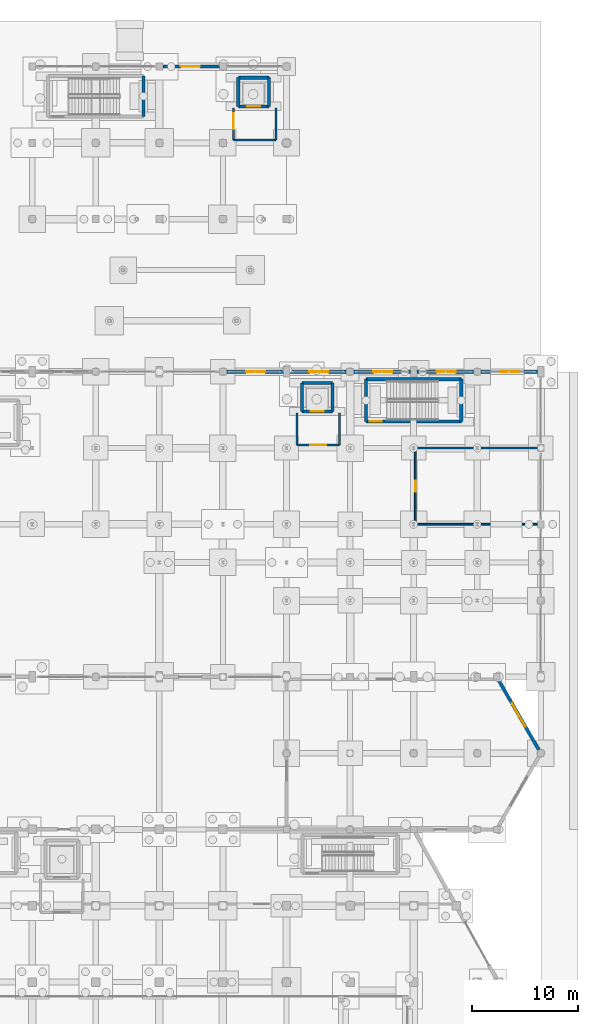
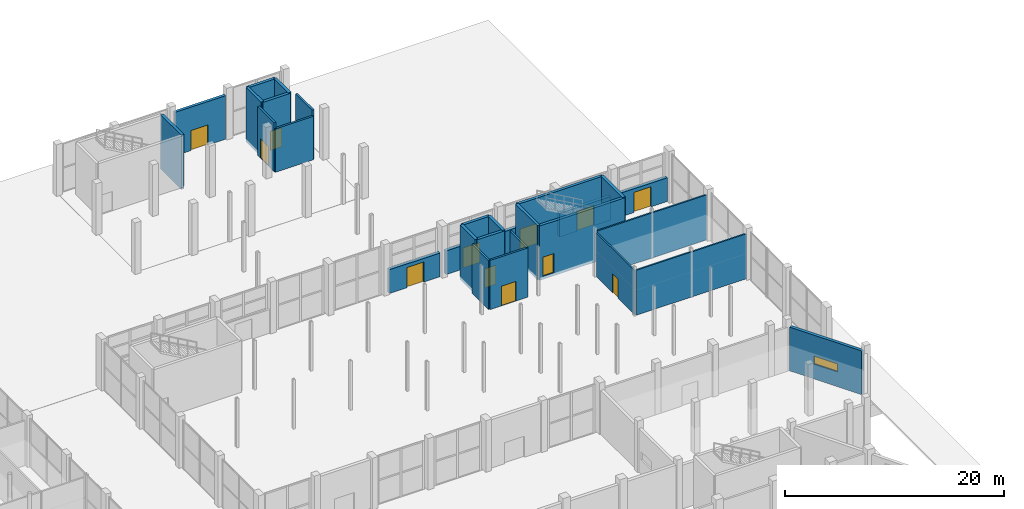
# One storey, part 84 of 103: 29 walls, 12 doors, 1 window, 13 openings.
"""IFC4 building model written with IfcOpenShell, lengths in metres."""

from ifc_helpers import new_model, si_unit, direction, frame, frame_2d, origin, place, context, subcontext, project, spatial, rectangle, extrude, material, layer, layer_set, type_object, element, fill, save


model = new_model("IFC4")

# Units and contexts
model_context = context("Model", 3, precision=1e-05, world=origin(), true_north=direction((0.0, 1.0)))
body_context = subcontext(model_context, "Body", "Model", "MODEL_VIEW")
ifc_project = project(units=[si_unit("LENGTHUNIT", "METRE"), si_unit("AREAUNIT", "SQUARE_METRE"), si_unit("VOLUMEUNIT", "CUBIC_METRE"), si_unit("PLANEANGLEUNIT", "RADIAN"), si_unit("MASSUNIT", "GRAM", prefix="KILO")], contexts=[model_context])

# Site, building, storey
site_placement = place(None, origin())
site = spatial("IfcSite", under=ifc_project, at=site_placement, CompositionType="ELEMENT")
building_placement = place(site_placement, origin())
building = spatial("IfcBuilding", under=site, at=building_placement, Name="Dunvalen Ferry Terminal", CompositionType="ELEMENT")
storey_placement = place(building_placement, origin())
storey = spatial("IfcBuildingStorey", under=building, at=storey_placement, Name="L00", CompositionType="ELEMENT", Elevation=0.0)

# Wall, opening, window
ifc_material_1 = material(Name="Precast concrete C40/50", Category="concrete")
ifc_layer_1 = layer(ifc_material_1, 0.31005859375, Name="Precast concrete C40/50")
ifc_layer_set_1 = layer_set([ifc_layer_1], Name="Precast concrete C40/50")
wall_type_1 = type_object("IfcWallType", Name="ENV-WL-ANX310", PredefinedType="SOLIDWALL", material=ifc_layer_set_1)
wall_1_placement = place(storey_placement, frame((167.824951171875, 50.703125, 0.0), z_axis=(0.0, 0.0, 1.0), x_axis=(-0.499998170572, 0.866026460002, 0.0)))
wall_1 = element("IfcWall", 1, at=wall_1_placement, inside=storey, type_object=wall_type_1, Name="L00 V2ASE Faceted Precast Wall 03", PredefinedType="SOLIDWALL", context=body_context, shape_type="SweptSolid", body=[
    extrude(rectangle(XDim=7.61376953125, YDim=0.31005859375, at=frame_2d((3.806884765625, 0.0))), origin(), (0.0, 0.0, 1.0), 4.889892578125),
])
opening_1_placement = place(wall_1_placement, frame((2.556884765625, 0.0, 1.64990234375)))
opening_1 = element("IfcOpeningElement", 2, at=opening_1_placement, cuts=wall_1, Name="Opening W-15", PredefinedType="OPENING", context=body_context, shape_type="SweptSolid", body=[
    extrude(rectangle(XDim=2.5, YDim=0.89990234375, at=frame_2d((1.25, 0.449951171875))), frame((0.0, 0.1650390625, 0.0), z_axis=(0.0, -1.0, 0.0), x_axis=(1.0, 0.0, 0.0)), (0.0, 0.0, 1.0), 0.330078125),
])
ifc_material_2 = material(Name="Thermally broken aluminium and double glazing", Category="aluminium")
window_type = type_object("IfcWindowType", Name="ENV-WIN-CLR-15", PartitioningType="SINGLE_PANEL", PredefinedType="WINDOW", material=ifc_material_2)
window_placement = place(opening_1_placement, origin())
window = element("IfcWindow", 3, at=window_placement, inside=storey, type_object=window_type, Name="L00 V2ASE Clerestory Window 03", OverallHeight=0.89990234375, OverallWidth=2.5, PartitioningType="SINGLE_PANEL", PredefinedType="WINDOW", context=body_context, shape_type="SweptSolid", body=[
    extrude(rectangle(XDim=2.5, YDim=0.89990234375, at=frame_2d((1.25, 0.449951171875))), frame((0.0, 0.030029296875, 0.0), z_axis=(0.0, -1.0, 0.0), x_axis=(1.0, 0.0, 0.0)), (0.0, 0.0, 1.0), 0.06005859375),
])
fill(opening_1, window)

# Wall, opening, door
ifc_layer_2 = layer(ifc_material_1, 0.2900390625, Name="Precast concrete C40/50")
ifc_layer_set_2 = layer_set([ifc_layer_2], Name="Precast concrete C40/50")
wall_type_2 = type_object("IfcWallType", Name="ENV-WL-BRT290", PredefinedType="SOLIDWALL", material=ifc_layer_set_2)
wall_2_placement = place(storey_placement, frame((132.326904296875, 115.199951171875, 0.0), z_axis=(0.0, 0.0, 1.0), x_axis=(1.0, 0.0, 0.0)))
wall_2 = element("IfcWall", 4, at=wall_2_placement, inside=storey, type_object=wall_type_2, Name="L00 Berth Pavilion 2 Quay Apron Exit Wall", PredefinedType="SOLIDWALL", context=body_context, shape_type="SweptSolid", body=[
    extrude(rectangle(XDim=5.34619140625, YDim=0.2900390625, at=frame_2d((2.673095703125, 0.0))), origin(), (0.0, 0.0, 1.0), 4.860107421875),
])
opening_2_placement = place(wall_2_placement, frame((1.697509765625, 0.0, 0.0)))
opening_2 = element("IfcOpeningElement", 5, at=opening_2_placement, cuts=wall_2, Name="Opening ED-03", PredefinedType="OPENING", context=body_context, shape_type="SweptSolid", body=[
    extrude(rectangle(XDim=1.800048828125, YDim=2.25, at=frame_2d((0.89990234375, 1.125))), frame((0.0, 0.155029296875, 0.0), z_axis=(0.0, -1.0, 0.0), x_axis=(1.0, 0.0, 0.0)), (0.0, 0.0, 1.0), 0.31005859375),
])
ifc_material_3 = material(Name="Marine grade powder-coated aluminium and laminated glass", Category="aluminium")
door_type_1 = type_object("IfcDoorType", Name="ENV-DR-EXT-1800", OperationType="DOUBLE_SWING_LEFT", PredefinedType="DOOR", material=ifc_material_3)
door_1_placement = place(opening_2_placement, origin())
door_1 = element("IfcDoor", 6, at=door_1_placement, inside=storey, type_object=door_type_1, Name="L00 Berth Pavilion 2 Quay Discharge Door", OperationType="DOUBLE_SWING_LEFT", OverallHeight=2.25, OverallWidth=1.800048828125, PredefinedType="DOOR", context=body_context, shape_type="SweptSolid", body=[
    extrude(rectangle(XDim=1.800048828125, YDim=2.25, at=frame_2d((0.89990234375, 1.125))), frame((0.0, 0.02490234375, 0.0), z_axis=(0.0, -1.0, 0.0), x_axis=(1.0, 0.0, 0.0)), (0.0, 0.0, 1.0), 0.050048828125),
])
fill(opening_2, door_1)

ifc_layer_3 = layer(ifc_material_1, 0.340087890625, Name="Precast concrete C40/50")
ifc_layer_set_3 = layer_set([ifc_layer_3], Name="Precast concrete C40/50")
wall_type_3 = type_object("IfcWallType", Name="ENV-WL-SPN340", PredefinedType="SOLIDWALL", material=ifc_layer_set_3)
wall_3_placement = place(storey_placement, frame((138.326904296875, 86.39990234375, 0.0), z_axis=(0.0, 0.0, 1.0), x_axis=(1.0, 0.0, 0.0)))
wall_3 = element("IfcWall", 7, at=wall_3_placement, inside=storey, type_object=wall_type_3, Name="L00 Arrivals Hall Quay Storefront Portal Wall 06", PredefinedType="SOLIDWALL", context=body_context, shape_type="SweptSolid", body=[
    extrude(rectangle(XDim=5.37109375, YDim=0.340087890625, at=frame_2d((2.685546875, 0.0))), origin(), (0.0, 0.0, 1.0), 2.64990234375),
])
opening_3_placement = place(wall_3_placement, frame((1.861572265625, 0.0, 0.0)))
opening_3 = element("IfcOpeningElement", 8, at=opening_3_placement, cuts=wall_3, Name="Opening ED-03", PredefinedType="OPENING", context=body_context, shape_type="SweptSolid", body=[
    extrude(rectangle(XDim=1.800048828125, YDim=2.25, at=frame_2d((0.89990234375, 1.125))), frame((0.0, 0.18017578125, 0.0), z_axis=(0.0, -1.0, 0.0), x_axis=(1.0, 0.0, 0.0)), (0.0, 0.0, 1.0), 0.360107421875),
])
door_2_placement = place(opening_3_placement, origin())
door_2 = element("IfcDoor", 9, at=door_2_placement, inside=storey, type_object=door_type_1, Name="L00 Arrivals Hall Quay Promenade Exit Door 06", OperationType="DOUBLE_SWING_LEFT", OverallHeight=2.25, OverallWidth=1.800048828125, PredefinedType="DOOR", context=body_context, shape_type="SweptSolid", body=[
    extrude(rectangle(XDim=1.800048828125, YDim=2.25, at=frame_2d((0.89990234375, 1.125))), frame((0.0, 0.02490234375, 0.0), z_axis=(0.0, -1.0, 0.0), x_axis=(1.0, 0.0, 0.0)), (0.0, 0.0, 1.0), 0.050048828125),
])
fill(opening_3, door_2)

wall_4_placement = place(storey_placement, frame((144.302001953125, 86.39990234375, 0.0), z_axis=(0.0, 0.0, 1.0), x_axis=(1.0, 0.0, 0.0)))
wall_4 = element("IfcWall", 10, at=wall_4_placement, inside=storey, type_object=wall_type_3, Name="L00 Arrivals Hall Quay Storefront Portal Wall 07", PredefinedType="SOLIDWALL", context=body_context, shape_type="SweptSolid", body=[
    extrude(rectangle(XDim=5.37109375, YDim=0.340087890625, at=frame_2d((2.685546875, 0.0))), origin(), (0.0, 0.0, 1.0), 2.64990234375),
])
opening_4_placement = place(wall_4_placement, frame((1.861572265625, 0.0, 0.0)))
opening_4 = element("IfcOpeningElement", 11, at=opening_4_placement, cuts=wall_4, Name="Opening ED-03", PredefinedType="OPENING", context=body_context, shape_type="SweptSolid", body=[
    extrude(rectangle(XDim=1.800048828125, YDim=2.25, at=frame_2d((0.89990234375, 1.125))), frame((0.0, 0.18017578125, 0.0), z_axis=(0.0, -1.0, 0.0), x_axis=(1.0, 0.0, 0.0)), (0.0, 0.0, 1.0), 0.360107421875),
])
door_3_placement = place(opening_4_placement, origin())
door_3 = element("IfcDoor", 12, at=door_3_placement, inside=storey, type_object=door_type_1, Name="L00 Arrivals Hall Quay Promenade Exit Door 07", OperationType="DOUBLE_SWING_LEFT", OverallHeight=2.25, OverallWidth=1.800048828125, PredefinedType="DOOR", context=body_context, shape_type="SweptSolid", body=[
    extrude(rectangle(XDim=1.800048828125, YDim=2.25, at=frame_2d((0.89990234375, 1.125))), frame((0.0, 0.02490234375, 0.0), z_axis=(0.0, -1.0, 0.0), x_axis=(1.0, 0.0, 0.0)), (0.0, 0.0, 1.0), 0.050048828125),
])
fill(opening_4, door_3)

wall_5_placement = place(storey_placement, frame((150.326904296875, 86.39990234375, 0.0), z_axis=(0.0, 0.0, 1.0), x_axis=(1.0, 0.0, 0.0)))
wall_5 = element("IfcWall", 13, at=wall_5_placement, inside=storey, type_object=wall_type_3, Name="L00 Arrivals Hall Quay Storefront Portal Wall 08", PredefinedType="SOLIDWALL", context=body_context, shape_type="SweptSolid", body=[
    extrude(rectangle(XDim=5.37109375, YDim=0.340087890625, at=frame_2d((2.685546875, 0.0))), origin(), (0.0, 0.0, 1.0), 2.64990234375),
])
opening_5_placement = place(wall_5_placement, frame((1.861572265625, 0.0, 0.0)))
opening_5 = element("IfcOpeningElement", 14, at=opening_5_placement, cuts=wall_5, Name="Opening ED-03", PredefinedType="OPENING", context=body_context, shape_type="SweptSolid", body=[
    extrude(rectangle(XDim=1.800048828125, YDim=2.25, at=frame_2d((0.89990234375, 1.125))), frame((0.0, 0.18017578125, 0.0), z_axis=(0.0, -1.0, 0.0), x_axis=(1.0, 0.0, 0.0)), (0.0, 0.0, 1.0), 0.360107421875),
])
door_4_placement = place(opening_5_placement, origin())
door_4 = element("IfcDoor", 15, at=door_4_placement, inside=storey, type_object=door_type_1, Name="L00 Arrivals Hall Quay Promenade Exit Door 08", OperationType="DOUBLE_SWING_LEFT", OverallHeight=2.25, OverallWidth=1.800048828125, PredefinedType="DOOR", context=body_context, shape_type="SweptSolid", body=[
    extrude(rectangle(XDim=1.800048828125, YDim=2.25, at=frame_2d((0.89990234375, 1.125))), frame((0.0, 0.02490234375, 0.0), z_axis=(0.0, -1.0, 0.0), x_axis=(1.0, 0.0, 0.0)), (0.0, 0.0, 1.0), 0.050048828125),
])
fill(opening_5, door_4)

wall_6_placement = place(storey_placement, frame((156.302001953125, 86.39990234375, 0.0), z_axis=(0.0, 0.0, 1.0), x_axis=(1.0, 0.0, 0.0)))
wall_6 = element("IfcWall", 16, at=wall_6_placement, inside=storey, type_object=wall_type_3, Name="L00 Arrivals Hall Quay Storefront Portal Wall 09", PredefinedType="SOLIDWALL", context=body_context, shape_type="SweptSolid", body=[
    extrude(rectangle(XDim=5.37109375, YDim=0.340087890625, at=frame_2d((2.685546875, 0.0))), origin(), (0.0, 0.0, 1.0), 2.64990234375),
])
opening_6_placement = place(wall_6_placement, frame((1.861572265625, 0.0, 0.0)))
opening_6 = element("IfcOpeningElement", 17, at=opening_6_placement, cuts=wall_6, Name="Opening ED-03", PredefinedType="OPENING", context=body_context, shape_type="SweptSolid", body=[
    extrude(rectangle(XDim=1.800048828125, YDim=2.25, at=frame_2d((0.89990234375, 1.125))), frame((0.0, 0.18017578125, 0.0), z_axis=(0.0, -1.0, 0.0), x_axis=(1.0, 0.0, 0.0)), (0.0, 0.0, 1.0), 0.360107421875),
])
door_5_placement = place(opening_6_placement, origin())
door_5 = element("IfcDoor", 18, at=door_5_placement, inside=storey, type_object=door_type_1, Name="L00 Arrivals Hall Quay Promenade Exit Door 09", OperationType="DOUBLE_SWING_LEFT", OverallHeight=2.25, OverallWidth=1.800048828125, PredefinedType="DOOR", context=body_context, shape_type="SweptSolid", body=[
    extrude(rectangle(XDim=1.800048828125, YDim=2.25, at=frame_2d((0.89990234375, 1.125))), frame((0.0, 0.02490234375, 0.0), z_axis=(0.0, -1.0, 0.0), x_axis=(1.0, 0.0, 0.0)), (0.0, 0.0, 1.0), 0.050048828125),
])
fill(opening_6, door_5)

wall_7_placement = place(storey_placement, frame((162.326904296875, 86.39990234375, 0.0), z_axis=(0.0, 0.0, 1.0), x_axis=(1.0, 0.0, 0.0)))
wall_7 = element("IfcWall", 19, at=wall_7_placement, inside=storey, type_object=wall_type_3, Name="L00 Arrivals Hall Quay Storefront Portal Wall 10", PredefinedType="SOLIDWALL", context=body_context, shape_type="SweptSolid", body=[
    extrude(rectangle(XDim=5.37109375, YDim=0.340087890625, at=frame_2d((2.685546875, 0.0))), origin(), (0.0, 0.0, 1.0), 2.64990234375),
])
opening_7_placement = place(wall_7_placement, frame((1.861572265625, 0.0, 0.0)))
opening_7 = element("IfcOpeningElement", 20, at=opening_7_placement, cuts=wall_7, Name="Opening ED-03", PredefinedType="OPENING", context=body_context, shape_type="SweptSolid", body=[
    extrude(rectangle(XDim=1.800048828125, YDim=2.25, at=frame_2d((0.89990234375, 1.125))), frame((0.0, 0.18017578125, 0.0), z_axis=(0.0, -1.0, 0.0), x_axis=(1.0, 0.0, 0.0)), (0.0, 0.0, 1.0), 0.360107421875),
])
door_6_placement = place(opening_7_placement, origin())
door_6 = element("IfcDoor", 21, at=door_6_placement, inside=storey, type_object=door_type_1, Name="L00 Arrivals Hall Quay Promenade Exit Door 10", OperationType="DOUBLE_SWING_LEFT", OverallHeight=2.25, OverallWidth=1.800048828125, PredefinedType="DOOR", context=body_context, shape_type="SweptSolid", body=[
    extrude(rectangle(XDim=1.800048828125, YDim=2.25, at=frame_2d((0.89990234375, 1.125))), frame((0.0, 0.02490234375, 0.0), z_axis=(0.0, -1.0, 0.0), x_axis=(1.0, 0.0, 0.0)), (0.0, 0.0, 1.0), 0.050048828125),
])
fill(opening_7, door_6)

# Wall
ifc_material_4 = material(Name="Autoclaved aerated concrete blockwork", Category="masonry")
ifc_layer_4 = layer(ifc_material_4, 0.199951171875, Name="Autoclaved aerated concrete blockwork")
ifc_layer_set_4 = layer_set([ifc_layer_4], Name="Autoclaved aerated concrete blockwork")
wall_type_4 = type_object("IfcWallType", Name="INT-WL-CMP200", PredefinedType="PARTITIONING", material=ifc_layer_set_4)
wall_8_placement = place(storey_placement, frame((144.989990234375, 82.510009765625, 0.0), z_axis=(0.0, 0.0, 1.0), x_axis=(0.0, -1.0, 0.0)))
element("IfcWall", 22, at=wall_8_placement, inside=storey, type_object=wall_type_4, Name="L00 L00 Lift Lobby LP-02 Partition 1", PredefinedType="PARTITIONING", context=body_context, shape_type="SweptSolid", body=[
    extrude(rectangle(XDim=3.02001953125, YDim=0.199951171875, at=frame_2d((1.510009765625, 0.0))), origin(), (0.0, 0.0, 1.0), 5.5),
])

# Wall, opening, door
wall_9_placement = place(storey_placement, frame((144.989990234375, 79.489990234375, 0.0), z_axis=(0.0, 0.0, 1.0), x_axis=(1.0, 0.0, 0.0)))
wall_9 = element("IfcWall", 23, at=wall_9_placement, inside=storey, type_object=wall_type_4, Name="L00 L00 Lift Lobby LP-02 Partition 2", PredefinedType="PARTITIONING", context=body_context, shape_type="SweptSolid", body=[
    extrude(rectangle(XDim=4.02001953125, YDim=0.199951171875, at=frame_2d((2.010009765625, 0.0))), origin(), (0.0, 0.0, 1.0), 5.5),
])
opening_8_placement = place(wall_9_placement, frame((1.260009765625, 0.0, 0.0)))
opening_8 = element("IfcOpeningElement", 24, at=opening_8_placement, cuts=wall_9, Name="Opening ID-04", PredefinedType="OPENING", context=body_context, shape_type="SweptSolid", body=[
    extrude(rectangle(XDim=1.5, YDim=2.199951171875, at=frame_2d((0.75, 1.10009765625))), frame((0.0, 0.10986328125, 0.0), z_axis=(0.0, -1.0, 0.0), x_axis=(1.0, 0.0, 0.0)), (0.0, 0.0, 1.0), 0.219970703125),
])
ifc_material_5 = material(Name="Anodised aluminium glazed fire door", Category="aluminium")
door_type_2 = type_object("IfcDoorType", Name="INT-DR-LOB-1500", OperationType="DOUBLE_SWING_LEFT", PredefinedType="DOOR", material=ifc_material_5)
door_7_placement = place(opening_8_placement, origin())
door_7 = element("IfcDoor", 25, at=door_7_placement, inside=storey, type_object=door_type_2, Name="L00 Lift Lobby LP-02 Door", OperationType="DOUBLE_SWING_LEFT", OverallHeight=2.199951171875, OverallWidth=1.5, PredefinedType="DOOR", context=body_context, shape_type="SweptSolid", body=[
    extrude(rectangle(XDim=1.5, YDim=2.199951171875, at=frame_2d((0.75, 1.10009765625))), frame((0.0, 0.02490234375, 0.0), z_axis=(0.0, -1.0, 0.0), x_axis=(1.0, 0.0, 0.0)), (0.0, 0.0, 1.0), 0.050048828125),
])
fill(opening_8, door_7)

# Wall
wall_10_placement = place(storey_placement, frame((149.010009765625, 79.489990234375, 0.0), z_axis=(0.0, 0.0, 1.0), x_axis=(0.0, 1.0, 0.0)))
element("IfcWall", 26, at=wall_10_placement, inside=storey, type_object=wall_type_4, Name="L00 L00 Lift Lobby LP-02 Partition 3", PredefinedType="PARTITIONING", context=body_context, shape_type="SweptSolid", body=[
    extrude(rectangle(XDim=3.02001953125, YDim=0.199951171875, at=frame_2d((1.510009765625, 0.0))), origin(), (0.0, 0.0, 1.0), 5.5),
])

# Wall, opening, door
wall_11_placement = place(storey_placement, frame((138.989990234375, 111.31005859375, 0.0), z_axis=(0.0, 0.0, 1.0), x_axis=(0.0, -1.0, 0.0)))
wall_11 = element("IfcWall", 27, at=wall_11_placement, inside=storey, type_object=wall_type_4, Name="L00 L00 Lift Lobby LP-04 Partition 2", PredefinedType="PARTITIONING", context=body_context, shape_type="SweptSolid", body=[
    extrude(rectangle(XDim=3.02001953125, YDim=0.199951171875, at=frame_2d((1.510009765625, 0.0))), origin(), (0.0, 0.0, 1.0), 5.5),
])
opening_9_placement = place(wall_11_placement, frame((0.508056640625, 0.0, 0.0)))
opening_9 = element("IfcOpeningElement", 28, at=opening_9_placement, cuts=wall_11, Name="Opening ID-04", PredefinedType="OPENING", context=body_context, shape_type="SweptSolid", body=[
    extrude(rectangle(XDim=1.5, YDim=2.199951171875, at=frame_2d((0.75, 1.10009765625))), frame((0.0, 0.10986328125, 0.0), z_axis=(0.0, -1.0, 0.0), x_axis=(1.0, 0.0, 0.0)), (0.0, 0.0, 1.0), 0.219970703125),
])
door_8_placement = place(opening_9_placement, origin())
door_8 = element("IfcDoor", 29, at=door_8_placement, inside=storey, type_object=door_type_2, Name="L00 Lift Lobby LP-04 Door", OperationType="DOUBLE_SWING_LEFT", OverallHeight=2.199951171875, OverallWidth=1.5, PredefinedType="DOOR", context=body_context, shape_type="SweptSolid", body=[
    extrude(rectangle(XDim=1.5, YDim=2.199951171875, at=frame_2d((0.75, 1.10009765625))), frame((0.0, 0.02490234375, 0.0), z_axis=(0.0, -1.0, 0.0), x_axis=(1.0, 0.0, 0.0)), (0.0, 0.0, 1.0), 0.050048828125),
])
fill(opening_9, door_8)

# Walls
wall_12_placement = place(storey_placement, frame((138.989990234375, 108.2900390625, 0.0), z_axis=(0.0, 0.0, 1.0), x_axis=(1.0, 0.0, 0.0)))
element("IfcWall", 30, at=wall_12_placement, inside=storey, type_object=wall_type_4, Name="L00 L00 Lift Lobby LP-04 Partition 3", PredefinedType="PARTITIONING", context=body_context, shape_type="SweptSolid", body=[
    extrude(rectangle(XDim=4.02001953125, YDim=0.199951171875, at=frame_2d((2.010009765625, 0.0))), origin(), (0.0, 0.0, 1.0), 4.860107421875),
])
wall_13_placement = place(storey_placement, frame((143.010009765625, 108.2900390625, 0.0), z_axis=(0.0, 0.0, 1.0), x_axis=(0.0, 1.0, 0.0)))
element("IfcWall", 31, at=wall_13_placement, inside=storey, type_object=wall_type_4, Name="L00 L00 Lift Lobby LP-04 Partition 4", PredefinedType="PARTITIONING", context=body_context, shape_type="SweptSolid", body=[
    extrude(rectangle(XDim=3.02001953125, YDim=0.199951171875, at=frame_2d((1.510009765625, 0.0))), origin(), (0.0, 0.0, 1.0), 5.5),
])
ifc_material_6 = material(Name="Moisture-resistant tile-backer partition", Category="gypsum")
ifc_layer_5 = layer(ifc_material_6, 0.159912109375, Name="Moisture-resistant tile-backer partition")
ifc_layer_set_5 = layer_set([ifc_layer_5], Name="Moisture-resistant tile-backer partition")
wall_type_5 = type_object("IfcWallType", Name="INT-WL-PRT160", PredefinedType="PARTITIONING", material=ifc_layer_set_5)
wall_14_placement = place(storey_placement, frame((167.780029296875, 79.199951171875, 0.0), z_axis=(0.0, 0.0, 1.0), x_axis=(-1.0, 0.0, 0.0)))
element("IfcWall", 32, at=wall_14_placement, inside=storey, type_object=wall_type_5, Name="L00 L00 Arrivals Public and Accessible Toilets Partition 1", PredefinedType="PARTITIONING", context=body_context, shape_type="SweptSolid", body=[
    extrude(rectangle(XDim=11.6201171875, YDim=0.159912109375, at=frame_2d((5.81005859375, 0.0))), origin(), (0.0, 0.0, 1.0), 5.032958984375),
])

# Wall, opening, door
wall_15_placement = place(storey_placement, frame((156.159912109375, 79.199951171875, 0.0), z_axis=(0.0, 0.0, 1.0), x_axis=(0.0, -1.0, 0.0)))
wall_15 = element("IfcWall", 33, at=wall_15_placement, inside=storey, type_object=wall_type_5, Name="L00 L00 Arrivals Public and Accessible Toilets Partition 2", PredefinedType="PARTITIONING", context=body_context, shape_type="SweptSolid", body=[
    extrude(rectangle(XDim=7.199951171875, YDim=0.159912109375, at=frame_2d((3.60009765625, 0.0))), origin(), (0.0, 0.0, 1.0), 4.88232421875),
])
opening_10_placement = place(wall_15_placement, frame((3.090087890625, 0.0, 0.0)))
opening_10 = element("IfcOpeningElement", 34, at=opening_10_placement, cuts=wall_15, Name="Opening ID-13", PredefinedType="OPENING", context=body_context, shape_type="SweptSolid", body=[
    extrude(rectangle(XDim=1.02001953125, YDim=2.10009765625, at=frame_2d((0.510009765625, 1.050048828125))), frame((0.0, 0.08984375, 0.0), z_axis=(0.0, -1.0, 0.0), x_axis=(1.0, 0.0, 0.0)), (0.0, 0.0, 1.0), 0.179931640625),
])
ifc_material_7 = material(Name="High-pressure laminate moisture-resistant door", Category="wood")
door_type_3 = type_object("IfcDoorType", Name="INT-DR-WC-1020", OperationType="NOTDEFINED", PredefinedType="DOOR", material=ifc_material_7)
door_9_placement = place(opening_10_placement, origin())
door_9 = element("IfcDoor", 35, at=door_9_placement, inside=storey, type_object=door_type_3, Name="L00 Arrivals Public and Accessible Toilets Door", OperationType="SINGLE_SWING_RIGHT", OverallHeight=2.10009765625, OverallWidth=1.02001953125, PredefinedType="DOOR", context=body_context, shape_type="SweptSolid", body=[
    extrude(rectangle(XDim=1.02001953125, YDim=2.10009765625, at=frame_2d((0.510009765625, 1.050048828125))), frame((0.0, 0.02490234375, 0.0), z_axis=(0.0, -1.0, 0.0), x_axis=(1.0, 0.0, 0.0)), (0.0, 0.0, 1.0), 0.050048828125),
])
fill(opening_10, door_9)

# Walls
wall_16_placement = place(storey_placement, frame((156.159912109375, 72.0, 0.0), z_axis=(0.0, 0.0, 1.0), x_axis=(1.0, 0.0, 0.0)))
element("IfcWall", 36, at=wall_16_placement, inside=storey, type_object=wall_type_5, Name="L00 L00 Arrivals Public and Accessible Toilets Partition 3", PredefinedType="PARTITIONING", context=body_context, shape_type="SweptSolid", body=[
    extrude(rectangle(XDim=11.6201171875, YDim=0.159912109375, at=frame_2d((5.81005859375, 0.0))), origin(), (0.0, 0.0, 1.0), 5.032958984375),
])
ifc_material_8 = material(Name="Concrete C40/50", Category="concrete")
ifc_layer_6 = layer(ifc_material_8, 0.300048828125, Name="Concrete C40/50")
ifc_layer_set_6 = layer_set([ifc_layer_6], Name="Concrete C40/50")
wall_type_6 = type_object("IfcWallType", Name="STR-WL-SHR300", PredefinedType="SHEAR", material=ifc_layer_set_6)
for number, where, z_axis, x_axis, name in (
    (37, (151.5, 81.699951171875, -0.320068359375), (0.0, 0.0, 1.0), (0.0, 1.0, 0.0), "L00 ST9 Core West Shear Wall"),
    (38, (160.5, 81.699951171875, -0.320068359375), (0.0, 0.0, 1.0), (0.0, 1.0, 0.0), "L00 ST9 Core East Shear Wall"),
):
    element("IfcWall", number, at=place(storey_placement, frame(where, z_axis=z_axis, x_axis=x_axis)), inside=storey, type_object=wall_type_6, Name=name, PredefinedType="SHEAR", context=body_context, shape_type="SweptSolid", body=[
        extrude(rectangle(XDim=4.0, YDim=0.300048828125, at=frame_2d((2.0, 0.0))), origin(), (0.0, 0.0, 1.0), 6.080078125),
    ])
wall_17_placement = place(storey_placement, frame((130.5, 110.5, -0.320068359375), z_axis=(0.0, 0.0, 1.0), x_axis=(0.0, 1.0, 0.0)))
element("IfcWall", 39, at=wall_17_placement, inside=storey, type_object=wall_type_6, Name="L00 ST12 Core East Shear Wall", PredefinedType="SHEAR", context=body_context, shape_type="SweptSolid", body=[
    extrude(rectangle(XDim=3.800048828125, YDim=0.300048828125, at=frame_2d((1.89990234375, 0.0))), origin(), (0.0, 0.0, 1.0), 6.080078125),
])
wall_18_placement = place(storey_placement, frame((151.5, 85.699951171875, -0.320068359375), z_axis=(0.0, 0.0, 1.0), x_axis=(1.0, 0.0, 0.0)))
element("IfcWall", 40, at=wall_18_placement, inside=storey, type_object=wall_type_6, Name="L00 ST9 Core North Shear Wall", PredefinedType="SHEAR", context=body_context, shape_type="SweptSolid", body=[
    extrude(rectangle(XDim=9.0, YDim=0.300048828125, at=frame_2d((4.5, 0.0))), origin(), (0.0, 0.0, 1.0), 6.080078125),
])

# Wall, opening, door
wall_19_placement = place(storey_placement, frame((151.5, 81.699951171875, -0.320068359375), z_axis=(0.0, 0.0, 1.0), x_axis=(1.0, 0.0, 0.0)))
wall_19 = element("IfcWall", 41, at=wall_19_placement, inside=storey, type_object=wall_type_6, Name="L00 ST9 Core South Shear Wall", PredefinedType="SHEAR", context=body_context, shape_type="SweptSolid", body=[
    extrude(rectangle(XDim=9.0, YDim=0.300048828125, at=frame_2d((4.5, 0.0))), origin(), (0.0, 0.0, 1.0), 6.080078125),
])
opening_11_placement = place(wall_19_placement, frame((0.35009765625, 0.0, 0.320068359375)))
opening_11 = element("IfcOpeningElement", 42, at=opening_11_placement, cuts=wall_19, Name="Opening ID-02", PredefinedType="OPENING", context=body_context, shape_type="SweptSolid", body=[
    extrude(rectangle(XDim=1.14990234375, YDim=2.14990234375, at=frame_2d((0.574951171875, 1.074951171875))), frame((0.0, 0.16015625, 0.0), z_axis=(0.0, -1.0, 0.0), x_axis=(1.0, 0.0, 0.0)), (0.0, 0.0, 1.0), 0.320068359375),
])
ifc_material_9 = material(Name="Powder-coated steel fire door", Category="steel")
door_type_4 = type_object("IfcDoorType", Name="INT-DR-STR-1150", OperationType="NOTDEFINED", PredefinedType="DOOR", material=ifc_material_9)
door_10_placement = place(opening_11_placement, frame((1.14990234375, 0.0, 0.0), z_axis=(0.0, 0.0, 1.0), x_axis=(-1.0, 0.0, 0.0)))
door_10 = element("IfcDoor", 43, at=door_10_placement, inside=storey, type_object=door_type_4, Name="L00 ST9 Escape Stair Fire Door", OperationType="SINGLE_SWING_RIGHT", OverallHeight=2.14990234375, OverallWidth=1.14990234375, PredefinedType="DOOR", context=body_context, shape_type="SweptSolid", body=[
    extrude(rectangle(XDim=1.14990234375, YDim=2.14990234375, at=frame_2d((0.574951171875, 1.074951171875))), frame((0.0, 0.02490234375, 0.0), z_axis=(0.0, -1.0, 0.0), x_axis=(1.0, 0.0, 0.0)), (0.0, 0.0, 1.0), 0.050048828125),
])
fill(opening_11, door_10)

wall_20_placement = place(storey_placement, frame((145.449951171875, 82.64990234375, -0.320068359375), z_axis=(0.0, 0.0, 1.0), x_axis=(1.0, 0.0, 0.0)))
wall_20 = element("IfcWall", 44, at=wall_20_placement, inside=storey, type_object=wall_type_6, Name="L00 LP-02 Lift Shaft S Wall", PredefinedType="SHEAR", context=body_context, shape_type="SweptSolid", body=[
    extrude(rectangle(XDim=2.900146484375, YDim=0.300048828125, at=frame_2d((1.4501953125, 0.0))), origin(), (0.0, 0.0, 1.0), 6.080078125),
])
opening_12_placement = place(wall_20_placement, frame((0.85009765625, 0.0, 0.320068359375)))
opening_12 = element("IfcOpeningElement", 45, at=opening_12_placement, cuts=wall_20, Name="Opening LD-02", PredefinedType="OPENING", context=body_context, shape_type="SweptSolid", body=[
    extrude(rectangle(XDim=1.199951171875, YDim=2.14990234375, at=frame_2d((0.60009765625, 1.074951171875))), frame((0.0, 0.16015625, 0.0), z_axis=(0.0, -1.0, 0.0), x_axis=(1.0, 0.0, 0.0)), (0.0, 0.0, 1.0), 0.320068359375),
])
ifc_material_10 = material(Name="Brushed 316 stainless steel", Category="steel")
door_type_5 = type_object("IfcDoorType", Name="INT-DR-LFT-1200", OperationType="SLIDING_TO_LEFT", PredefinedType="DOOR", material=ifc_material_10)
door_11_placement = place(opening_12_placement, origin())
door_11 = element("IfcDoor", 46, at=door_11_placement, inside=storey, type_object=door_type_5, Name="L00 LP-02 Lift Sliding Landing Door", OperationType="SLIDING_TO_LEFT", OverallHeight=2.14990234375, OverallWidth=1.199951171875, PredefinedType="DOOR", context=body_context, shape_type="SweptSolid", body=[
    extrude(rectangle(XDim=1.199951171875, YDim=2.14990234375, at=frame_2d((0.60009765625, 1.074951171875))), frame((0.0, 0.02490234375, 0.0), z_axis=(0.0, -1.0, 0.0), x_axis=(1.0, 0.0, 0.0)), (0.0, 0.0, 1.0), 0.050048828125),
])
fill(opening_12, door_11)

# Walls
wall_21_placement = place(storey_placement, frame((145.449951171875, 85.35009765625, -0.320068359375), z_axis=(0.0, 0.0, 1.0), x_axis=(1.0, 0.0, 0.0)))
element("IfcWall", 47, at=wall_21_placement, inside=storey, type_object=wall_type_6, Name="L00 LP-02 Lift Shaft N Wall", PredefinedType="SHEAR", context=body_context, shape_type="SweptSolid", body=[
    extrude(rectangle(XDim=2.900146484375, YDim=0.300048828125, at=frame_2d((1.4501953125, 0.0))), origin(), (0.0, 0.0, 1.0), 6.080078125),
])
for number, where, z_axis, x_axis, name in (
    (48, (145.449951171875, 82.64990234375, -0.320068359375), (0.0, 0.0, 1.0), (0.0, 1.0, 0.0), "L00 LP-02 Lift Shaft W Wall"),
    (49, (148.35009765625, 82.64990234375, -0.320068359375), (0.0, 0.0, 1.0), (0.0, 1.0, 0.0), "L00 LP-02 Lift Shaft E Wall"),
):
    element("IfcWall", number, at=place(storey_placement, frame(where, z_axis=z_axis, x_axis=x_axis)), inside=storey, type_object=wall_type_6, Name=name, PredefinedType="SHEAR", context=body_context, shape_type="SweptSolid", body=[
        extrude(rectangle(XDim=2.7001953125, YDim=0.300048828125, at=frame_2d((1.35009765625, 0.0))), origin(), (0.0, 0.0, 1.0), 6.080078125),
    ])

# Wall, opening, door
wall_22_placement = place(storey_placement, frame((139.449951171875, 111.449951171875, -0.320068359375), z_axis=(0.0, 0.0, 1.0), x_axis=(1.0, 0.0, 0.0)))
wall_22 = element("IfcWall", 50, at=wall_22_placement, inside=storey, type_object=wall_type_6, Name="L00 LP-04 Lift Shaft S Wall", PredefinedType="SHEAR", context=body_context, shape_type="SweptSolid", body=[
    extrude(rectangle(XDim=2.900146484375, YDim=0.300048828125, at=frame_2d((1.4501953125, 0.0))), origin(), (0.0, 0.0, 1.0), 6.080078125),
])
opening_13_placement = place(wall_22_placement, frame((0.85009765625, 0.0, 0.320068359375)))
opening_13 = element("IfcOpeningElement", 51, at=opening_13_placement, cuts=wall_22, Name="Opening LD-02", PredefinedType="OPENING", context=body_context, shape_type="SweptSolid", body=[
    extrude(rectangle(XDim=1.199951171875, YDim=2.14990234375, at=frame_2d((0.60009765625, 1.074951171875))), frame((0.0, 0.16015625, 0.0), z_axis=(0.0, -1.0, 0.0), x_axis=(1.0, 0.0, 0.0)), (0.0, 0.0, 1.0), 0.320068359375),
])
door_12_placement = place(opening_13_placement, origin())
door_12 = element("IfcDoor", 52, at=door_12_placement, inside=storey, type_object=door_type_5, Name="L00 LP-04 Lift Sliding Landing Door", OperationType="SLIDING_TO_LEFT", OverallHeight=2.14990234375, OverallWidth=1.199951171875, PredefinedType="DOOR", context=body_context, shape_type="SweptSolid", body=[
    extrude(rectangle(XDim=1.199951171875, YDim=2.14990234375, at=frame_2d((0.60009765625, 1.074951171875))), frame((0.0, 0.02490234375, 0.0), z_axis=(0.0, -1.0, 0.0), x_axis=(1.0, 0.0, 0.0)), (0.0, 0.0, 1.0), 0.050048828125),
])
fill(opening_13, door_12)

# Walls
wall_23_placement = place(storey_placement, frame((139.449951171875, 114.14990234375, -0.320068359375), z_axis=(0.0, 0.0, 1.0), x_axis=(1.0, 0.0, 0.0)))
element("IfcWall", 53, at=wall_23_placement, inside=storey, type_object=wall_type_6, Name="L00 LP-04 Lift Shaft N Wall", PredefinedType="SHEAR", context=body_context, shape_type="SweptSolid", body=[
    extrude(rectangle(XDim=2.900146484375, YDim=0.300048828125, at=frame_2d((1.4501953125, 0.0))), origin(), (0.0, 0.0, 1.0), 6.080078125),
])
for number, where, z_axis, x_axis, name in (
    (54, (139.449951171875, 111.449951171875, -0.320068359375), (0.0, 0.0, 1.0), (0.0, 1.0, 0.0), "L00 LP-04 Lift Shaft W Wall"),
    (55, (142.35009765625, 111.449951171875, -0.320068359375), (0.0, 0.0, 1.0), (0.0, 1.0, 0.0), "L00 LP-04 Lift Shaft E Wall"),
):
    element("IfcWall", number, at=place(storey_placement, frame(where, z_axis=z_axis, x_axis=x_axis)), inside=storey, type_object=wall_type_6, Name=name, PredefinedType="SHEAR", context=body_context, shape_type="SweptSolid", body=[
        extrude(rectangle(XDim=2.699951171875, YDim=0.300048828125, at=frame_2d((1.35009765625, 0.0))), origin(), (0.0, 0.0, 1.0), 6.080078125),
    ])

save(model, "model.ifc")
